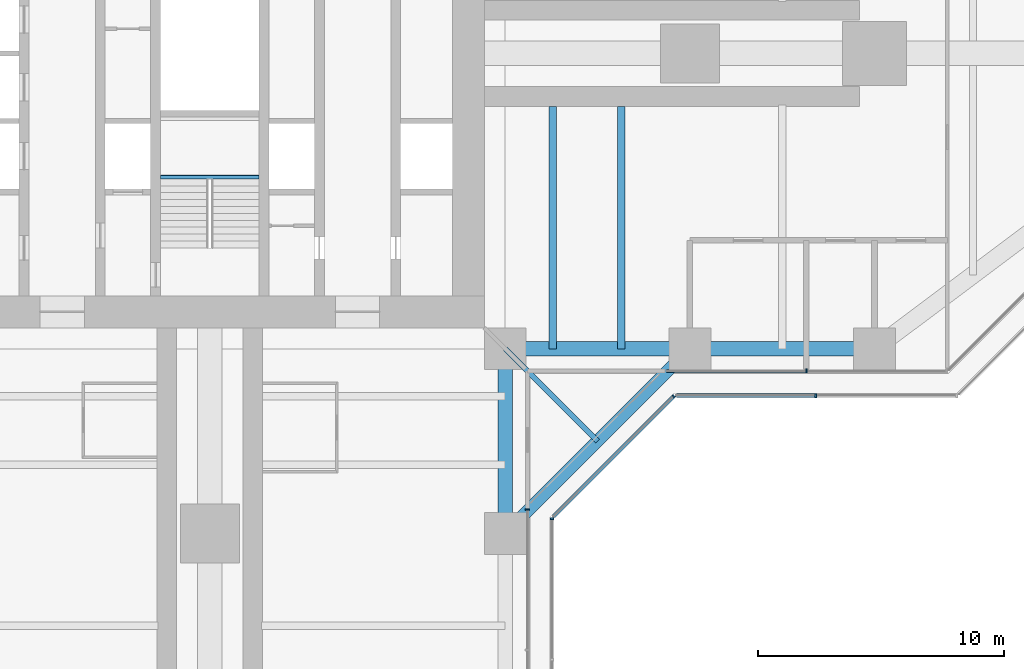
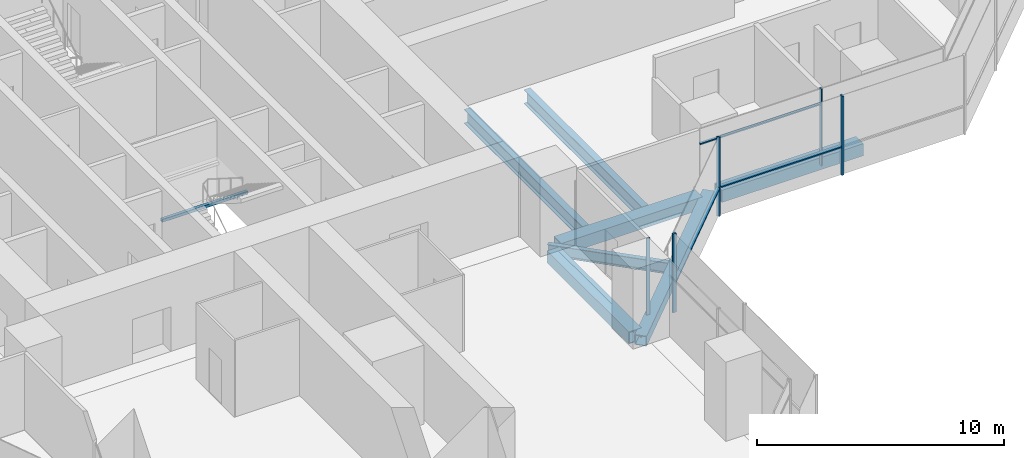
# One storey, part 6 of 22: 8 beams, 8 members, 5 elements without a shape of their own.
"""IFC4 building model written with IfcOpenShell, lengths in metres."""

import ifcopenshell
import ifcopenshell.guid

model = None  # the IFC model being written
_history = None  # IfcOwnerHistory: only IFC2X3 demands one
_inside = {}  # id of a spatial element -> (the spatial element, [elements in it])
_under = {}  # id of a project, library or spatial element -> (it, [spatial elements below it])
_declared = {}  # id of a project -> (the project, [libraries it declares])
_typed = {}  # id of a type object -> (the type object, [elements of that type])
_made_of = {}  # id of a material, layer set ... -> (it, [elements and type objects made of it])


def new_model(schema):
    """Start an empty IFC model of exactly this schema.

    Asked for "IFC4X3", IfcOpenShell would pick the latest addendum, in which some entities
    have other attributes; the version numbers below select the first issue.
    IFC2X3 requires an IfcOwnerHistory on every rooted entity: one is made here for all.
    """
    global model, _history
    if schema == "IFC4X3":
        model = ifcopenshell.file(schema_version=(4, 3, 0, 0))
    else:
        model = ifcopenshell.file(schema=schema)
    _inside.clear()
    _under.clear()
    _declared.clear()
    _typed.clear()
    _made_of.clear()
    _history = None
    if model.schema == "IFC2X3":
        org = make("IfcOrganization", Name="unknown")
        user = make(
            "IfcPersonAndOrganization",
            ThePerson=make("IfcPerson", FamilyName="unknown"),
            TheOrganization=org,
        )
        app = make(
            "IfcApplication",
            ApplicationDeveloper=org,
            Version="unknown",
            ApplicationFullName="unknown",
            ApplicationIdentifier="unknown",
        )
        _history = make(
            "IfcOwnerHistory",
            OwningUser=user,
            OwningApplication=app,
            ChangeAction="ADDED",
            CreationDate=0,
        )
    return model


def make(cls, **values):
    """One entity of the class cls with the attributes given. An attribute that is None is left unset."""
    return model.create_entity(
        cls, **{name: value for name, value in values.items() if value is not None}
    )


def rooted(cls, **values):
    """An entity with a GlobalId (a new one), such as an element, a storey or a relation."""
    return make(cls, GlobalId=ifcopenshell.guid.new(), OwnerHistory=_history, **values)


def si_unit(unit_type, name, prefix=None):
    """IfcSIUnit, for example si_unit("LENGTHUNIT", "METRE", prefix="MILLI")."""
    return make("IfcSIUnit", UnitType=unit_type, Prefix=prefix, Name=name)


def assignment(units):
    """IfcUnitAssignment: the units of a project."""
    return None if units is None else make("IfcUnitAssignment", Units=units)


def point(xyz):
    """IfcCartesianPoint."""
    return None if xyz is None else make("IfcCartesianPoint", Coordinates=xyz)


def direction(xyz):
    """IfcDirection."""
    return None if xyz is None else make("IfcDirection", DirectionRatios=xyz)


def frame(location, z_axis=None, x_axis=None):
    """IfcAxis2Placement3D, a coordinate frame: its origin and axes. An axis left out is left unset."""
    return make(
        "IfcAxis2Placement3D",
        Location=point(location),
        Axis=direction(z_axis),
        RefDirection=direction(x_axis),
    )


def frame_2d(location, x_axis=None):
    """IfcAxis2Placement2D, a coordinate frame in the plane: its origin and x axis."""
    return make(
        "IfcAxis2Placement2D", Location=point(location), RefDirection=direction(x_axis)
    )


def origin():
    """The frame at (0, 0, 0) with its axes left unset."""
    return frame((0.0, 0.0, 0.0))


def origin_2d():
    """The frame at (0, 0) in the plane with its x axis left unset."""
    return frame_2d((0.0, 0.0))


def place(relative_to, where):
    """IfcLocalPlacement: puts the frame where relative to a parent placement (None: the world)."""
    return make(
        "IfcLocalPlacement", PlacementRelTo=relative_to, RelativePlacement=where
    )


def context(
    kind, dimensions, precision=None, world=None, true_north=None, identifier=None
):
    """IfcGeometricRepresentationContext, for example the 3D "Model" context."""
    return make(
        "IfcGeometricRepresentationContext",
        ContextIdentifier=identifier,
        ContextType=kind,
        CoordinateSpaceDimension=dimensions,
        Precision=precision,
        WorldCoordinateSystem=world,
        TrueNorth=true_north,
    )


def subcontext(parent, identifier, kind, view, scale=None):
    """IfcGeometricRepresentationSubContext, for example "Body" below "Model"."""
    return make(
        "IfcGeometricRepresentationSubContext",
        ContextIdentifier=identifier,
        ContextType=kind,
        ParentContext=parent,
        TargetScale=scale,
        TargetView=view,
    )


def project(units=None, contexts=None):
    """IfcProject with its units and contexts."""
    return rooted(
        "IfcProject",
        Name="project",
        RepresentationContexts=contexts,
        UnitsInContext=assignment(units),
    )


def spatial(cls, under=None, at=None, **own):
    """A site, building, storey or space (cls), placed at a placement, below another one or the project."""
    s = rooted(cls, ObjectPlacement=at, **own)
    if under is not None:
        _under.setdefault(under.id(), (under, []))[1].append(s)
    return s


def profile(cls, at=None, kind="AREA", **sizes):
    """A parametric profile (cls). Its sizes go by their IFC names, for example OverallWidth=200.0."""
    return make(cls, ProfileType=kind, Position=at, **sizes)


def rectangle(**sizes):
    """IfcRectangleProfileDef."""
    return profile("IfcRectangleProfileDef", **sizes)


def hollow_rectangle(**sizes):
    """IfcRectangleHollowProfileDef."""
    return profile("IfcRectangleHollowProfileDef", **sizes)


def i_section(**sizes):
    """IfcIShapeProfileDef."""
    return profile("IfcIShapeProfileDef", **sizes)


def extrude(swept, where, along, depth):
    """IfcExtrudedAreaSolid: the profile swept, set in the frame where, extruded along a direction by depth."""
    return make(
        "IfcExtrudedAreaSolid",
        SweptArea=swept,
        Position=where,
        ExtrudedDirection=direction(along),
        Depth=depth,
    )


def shape(context_of_items, identifier, shape_type, items):
    """IfcShapeRepresentation: the items that make up one representation, for example the "Body"."""
    return make(
        "IfcShapeRepresentation",
        ContextOfItems=context_of_items,
        RepresentationIdentifier=identifier,
        RepresentationType=shape_type,
        Items=items,
    )


def material(Name=None, Category=None):
    """IfcMaterial."""
    return make("IfcMaterial", Name=Name, Category=Category)


def material_profile(
    of_material, cross_section, Name=None, Category=None, Priority=None
):
    """IfcMaterialProfile: a cross section and its material."""
    return make(
        "IfcMaterialProfile",
        Name=Name,
        Material=of_material,
        Profile=cross_section,
        Priority=Priority,
        Category=Category,
    )


def profile_set(profiles, Name=None, composite=None):
    """IfcMaterialProfileSet."""
    return make(
        "IfcMaterialProfileSet",
        Name=Name,
        MaterialProfiles=profiles,
        CompositeProfile=composite,
    )


def made_of(thing, what):
    """Note that an element or type object is made of a material, layer set ...; save() writes the relation."""
    if what is not None:
        _made_of.setdefault(what.id(), (what, []))[1].append(thing)
    return thing


def type_object(cls, material=None, **own):
    """A type object (cls), such as IfcWallType, which elements share."""
    return made_of(rooted(cls, **own), material)


def element(
    cls,
    number,
    at=None,
    inside=None,
    cuts=None,
    type_object=None,
    material=None,
    context=None,
    identifier="Body",
    shape_type=None,
    held_by="IfcProductDefinitionShape",
    body=None,
    shapes=None,
    **own,
):
    """One element of the class cls, such as IfcWall. Its Tag is "e" and its number.

    at: its placement. inside: the storey or other place that contains it. cuts: it is an
    opening in that element (IfcRelVoidsElement). A single representation is given by context,
    identifier, shape_type and body (its items); several are given by shapes. held_by: the class
    of the entity that holds the representations. save() writes the other relations.
    """
    e = rooted(cls, Tag="e%d" % number, ObjectPlacement=at, **own)
    if body is not None:
        shapes = [shape(context, identifier, shape_type, body)]
    if shapes is not None:
        e.Representation = make(held_by, Representations=shapes)
    if inside is not None:
        _inside.setdefault(inside.id(), (inside, []))[1].append(e)
    if cuts is not None:
        rooted(
            "IfcRelVoidsElement", RelatingBuildingElement=cuts, RelatedOpeningElement=e
        )
    if type_object is not None:
        _typed.setdefault(type_object.id(), (type_object, []))[1].append(e)
    return made_of(e, material)


def aggregate(whole, parts):
    """IfcRelAggregates: a whole, such as a stair, and the parts it consists of."""
    return rooted("IfcRelAggregates", RelatingObject=whole, RelatedObjects=parts)


def save(model, path):
    """Write the relations noted so far, then the file.

    IfcRelAggregates (storeys below a building ...), IfcRelContainedInSpatialStructure (elements
    in a storey), IfcRelDefinesByType, IfcRelAssociatesMaterial and IfcRelDeclares: one each for
    every whole, place, type object, material and project.
    """
    for whole, parts in _under.values():
        aggregate(whole, parts)
    for where, things in _inside.values():
        rooted(
            "IfcRelContainedInSpatialStructure",
            RelatedElements=things,
            RelatingStructure=where,
        )
    for kind, things in _typed.values():
        rooted("IfcRelDefinesByType", RelatedObjects=things, RelatingType=kind)
    for what, things in _made_of.values():
        rooted("IfcRelAssociatesMaterial", RelatedObjects=things, RelatingMaterial=what)
    for by, libraries in _declared.values():
        rooted("IfcRelDeclares", RelatingContext=by, RelatedDefinitions=libraries)
    model.write(path)


model = new_model("IFC4")

# Units and contexts
model_context = context("Model", 3, precision=1e-05, world=origin(), true_north=direction((0.0, 1.0)))
body_context = subcontext(model_context, "Body", "Model", "MODEL_VIEW")
ifc_project = project(units=[si_unit("LENGTHUNIT", "METRE"), si_unit("AREAUNIT", "SQUARE_METRE"), si_unit("VOLUMEUNIT", "CUBIC_METRE"), si_unit("PLANEANGLEUNIT", "RADIAN"), si_unit("MASSUNIT", "GRAM", prefix="KILO")], contexts=[model_context])

# Site, building, storey
site_placement = place(None, origin())
site = spatial("IfcSite", under=ifc_project, at=site_placement, CompositionType="ELEMENT")
building_placement = place(site_placement, origin())
building = spatial("IfcBuilding", under=site, at=building_placement, Name="Mizan Broadcast Tower", CompositionType="ELEMENT")
storey_placement = place(building_placement, frame((0.0, 0.0, 43.5)))
storey = spatial("IfcBuildingStorey", under=building, at=storey_placement, Name="L07", CompositionType="ELEMENT", Elevation=43.5)

# Beams
ifc_material_1 = material(Name="Steel S355", Category="steel")
ifc_material_profile_1 = material_profile(ifc_material_1, hollow_rectangle(XDim=0.5, YDim=0.5, WallThickness=0.030029296875, at=origin_2d()), Name="BOX 500x500x30")
ifc_profile_set_1 = profile_set([ifc_material_profile_1], Name="Steel S355")
beam_type_1 = type_object("IfcBeamType", Name="EDGE BEAM BOX 500x500x30", PredefinedType="SPANDREL", material=ifc_profile_set_1)
beam_1_placement = place(storey_placement, frame((12.0, -19.5, -0.3798828125), z_axis=(0.707106781187, 0.707106781187, 0.0), x_axis=(-0.707106781187, 0.707106781187, 0.0)))
element("IfcBeam", 1, at=beam_1_placement, inside=storey, type_object=beam_type_1, Name="Winter garden edge beam L07 S", PredefinedType="SPANDREL", context=body_context, shape_type="SweptSolid", body=[
    extrude(hollow_rectangle(XDim=0.5, YDim=0.5, WallThickness=0.030029296875, at=origin_2d()), origin(), (0.0, 0.0, 1.0), 10.606689453125),
])
ifc_material_2 = material(Name="Steel S355", Category="steel")
ifc_material_profile_2 = material_profile(ifc_material_2, hollow_rectangle(XDim=0.60009765625, YDim=0.60009765625, WallThickness=0.0400390625, at=origin_2d()), Name="BOX 600x600x40")
ifc_profile_set_2 = profile_set([ifc_material_profile_2], Name="Steel S355")
beam_type_2 = type_object("IfcBeamType", Name="EDGE BEAM BOX 600x600x40", PredefinedType="SPANDREL", material=ifc_profile_set_2)
for number, where, z_axis, x_axis, name in (
    (2, (12.449951171875, -12.0, -0.429931640625), (1.0, 0.0, 0.0), (0.0, 1.0, 0.0), "Edge beam BOX 600x600x40 L07 east arm"),
    (3, (19.949951171875, -12.0, -0.429931640625), (1.0, 0.0, 0.0), (0.0, 1.0, 0.0), "Edge beam BOX 600x600x40 L07 east arm"),
    (4, (12.0, -12.449951171875, -0.429931640625), (0.0, -1.0, 0.0), (1.0, 0.0, 0.0), "Edge beam BOX 600x600x40 L07 south arm"),
):
    element("IfcBeam", number, at=place(storey_placement, frame(where, z_axis=z_axis, x_axis=x_axis)), inside=storey, type_object=beam_type_2, Name=name, PredefinedType="SPANDREL", context=body_context, shape_type="SweptSolid", body=[
        extrude(hollow_rectangle(XDim=0.60009765625, YDim=0.60009765625, WallThickness=0.0400390625, at=origin_2d()), origin(), (0.0, 0.0, 1.0), 6.60009765625),
    ])

# Curtain wall, member
ifc_material_3 = material(Name="Aluminium framed glazing", Category="aluminium")
curtain_wall_type_1 = type_object("IfcCurtainWallType", Name="INNER SKIN LOW ZONE", PredefinedType="USERDEFINED", material=ifc_material_3)
curtain_wall_1_placement = place(storey_placement, origin())
curtain_wall_1 = element("IfcCurtainWall", 5, at=curtain_wall_1_placement, inside=storey, type_object=curtain_wall_type_1, Name="Inner skin low zone L07 E side", ObjectType="INNER SKIN LOW ZONE", PredefinedType="USERDEFINED")
ifc_material_4 = material(Name="Aluminium, pale anodised", Category="aluminium")
ifc_material_profile_3 = material_profile(ifc_material_4, rectangle(XDim=0.159912109375, YDim=0.06005859375, at=origin_2d()), Name="MULLION 160x60")
ifc_profile_set_3 = profile_set([ifc_material_profile_3], Name="Aluminium, pale anodised")
member_type_1 = type_object("IfcMemberType", Name="INNER SKIN MULLION 60x160", PredefinedType="MULLION", material=ifc_profile_set_3)
member_1_placement = place(storey_placement, frame((24.229248046875, -12.89990234375, 0.0), z_axis=(0.0, 0.0, 1.0), x_axis=(0.0, 1.0, 0.0)))
member_1 = element("IfcMember", 6, at=member_1_placement, type_object=member_type_1, Name="Inner skin low zone L07 E side mullion 2", PredefinedType="MULLION", context=body_context, shape_type="SweptSolid", body=[
    extrude(rectangle(XDim=0.159912109375, YDim=0.06005859375, at=origin_2d()), origin(), (0.0, 0.0, 1.0), 3.77001953125),
])

curtain_wall_2_placement = place(storey_placement, origin())
curtain_wall_2 = element("IfcCurtainWall", 7, at=curtain_wall_2_placement, inside=storey, type_object=curtain_wall_type_1, Name="Inner skin low zone L07 S side", ObjectType="INNER SKIN LOW ZONE", PredefinedType="USERDEFINED")
member_2_placement = place(storey_placement, frame((12.89990234375, -18.530029296875, 0.0), z_axis=(0.0, 0.0, 1.0), x_axis=(-1.0, 0.0, 0.0)))
member_2 = element("IfcMember", 8, at=member_2_placement, type_object=member_type_1, Name="Inner skin low zone L07 S side mullion 3", PredefinedType="MULLION", context=body_context, shape_type="SweptSolid", body=[
    extrude(rectangle(XDim=0.159912109375, YDim=0.06005859375, at=origin_2d()), origin(), (0.0, 0.0, 1.0), 3.77001953125),
])
aggregate(curtain_wall_2, [member_2])

# Member
ifc_material_5 = material(Name="Aluminium, pale anodised", Category="aluminium")
ifc_material_profile_4 = material_profile(ifc_material_5, rectangle(XDim=0.1201171875, YDim=0.06005859375, at=origin_2d()), Name="TRANSOM 120x60")
ifc_profile_set_4 = profile_set([ifc_material_profile_4], Name="Aluminium, pale anodised")
member_type_2 = type_object("IfcMemberType", Name="INNER SKIN TRANSOM 60x120", PredefinedType="USERDEFINED", material=ifc_profile_set_4)
member_3_placement = place(storey_placement, frame((18.56005859375, -12.89990234375, 3.030029296875), z_axis=(1.0, 0.0, 0.0), x_axis=(0.0, 1.0, 0.0)))
member_3 = element("IfcMember", 9, at=member_3_placement, type_object=member_type_2, Name="Inner skin low zone L07 E side transom 1.1", ObjectType="TRANSOM", PredefinedType="USERDEFINED", context=body_context, shape_type="SweptSolid", body=[
    extrude(rectangle(XDim=0.1201171875, YDim=0.06005859375, at=origin_2d()), origin(), (0.0, 0.0, 1.0), 5.63916015625),
])

aggregate(curtain_wall_1, [member_1, member_3])

# Beam
ifc_material_6 = material(Name="Steel S355", Category="steel")
ifc_material_profile_5 = material_profile(ifc_material_6, hollow_rectangle(XDim=0.14990234375, YDim=0.14990234375, WallThickness=0.008056640625, InnerFilletRadius=0.008056640625, OuterFilletRadius=0.011962890625, at=origin_2d()), Name="SHS 150x150x8")
ifc_profile_set_5 = profile_set([ifc_material_profile_5], Name="Steel S355")
beam_type_3 = type_object("IfcBeamType", Name="LANDING TRIMMER SHS 150x150x8", PredefinedType="BEAM", material=ifc_profile_set_5)
beam_2_placement = place(storey_placement, frame((-2.0, -5.02490234375, 1.675048828125), z_axis=(1.0, 0.0, 0.0), x_axis=(0.0, 1.0, 0.0)))
element("IfcBeam", 10, at=beam_2_placement, inside=storey, type_object=beam_type_3, Name="Stair A landing trimmer L07", PredefinedType="BEAM", context=body_context, shape_type="SweptSolid", body=[
    extrude(hollow_rectangle(XDim=0.14990234375, YDim=0.14990234375, WallThickness=0.008056640625, InnerFilletRadius=0.008056640625, OuterFilletRadius=0.011962890625, at=origin_2d()), origin(), (0.0, 0.0, 1.0), 4.0),
])

# Curtain wall, member
ifc_material_7 = material(Name="Aluminium framed glazing", Category="aluminium")
curtain_wall_type_2 = type_object("IfcCurtainWallType", Name="OUTER SKIN", PredefinedType="USERDEFINED", material=ifc_material_7)
curtain_wall_3_placement = place(storey_placement, origin())
curtain_wall_3 = element("IfcCurtainWall", 11, at=curtain_wall_3_placement, inside=storey, type_object=curtain_wall_type_2, Name="Outer skin L07 S side", ObjectType="OUTER SKIN", PredefinedType="USERDEFINED")
ifc_material_8 = material(Name="Aluminium, pale anodised", Category="aluminium")
ifc_material_profile_6 = material_profile(ifc_material_8, rectangle(XDim=0.159912109375, YDim=0.080078125, at=origin_2d()), Name="MULLION 160x80")
ifc_profile_set_6 = profile_set([ifc_material_profile_6], Name="Aluminium, pale anodised")
member_type_3 = type_object("IfcMemberType", Name="OUTER SKIN MULLION 80x160", PredefinedType="MULLION", material=ifc_profile_set_6)
member_4_placement = place(storey_placement, frame((13.89990234375, -18.912841796875, 0.0), z_axis=(0.0, 0.0, 1.0), x_axis=(-1.0, 0.0, 0.0)))
member_4 = element("IfcMember", 12, at=member_4_placement, type_object=member_type_3, Name="Outer skin L07 S side mullion 3", PredefinedType="MULLION", context=body_context, shape_type="SweptSolid", body=[
    extrude(rectangle(XDim=0.159912109375, YDim=0.080078125, at=origin_2d()), origin(), (0.0, 0.0, 1.0), 3.89990234375),
])
aggregate(curtain_wall_3, [member_4])

curtain_wall_4_placement = place(storey_placement, origin())
curtain_wall_4 = element("IfcCurtainWall", 13, at=curtain_wall_4_placement, inside=storey, type_object=curtain_wall_type_2, Name="Outer skin L07 E chamfer", ObjectType="OUTER SKIN", PredefinedType="USERDEFINED")
member_5_placement = place(storey_placement, frame((18.844482421875, -13.92822265625, 0.0), z_axis=(0.0, 0.0, 1.0), x_axis=(-0.707106781187, 0.707106781187, 0.0)))
member_5 = element("IfcMember", 14, at=member_5_placement, type_object=member_type_3, Name="Outer skin L07 E chamfer mullion 2", PredefinedType="MULLION", context=body_context, shape_type="SweptSolid", body=[
    extrude(rectangle(XDim=0.159912109375, YDim=0.080078125, at=origin_2d()), origin(), (0.0, 0.0, 1.0), 3.89990234375),
])

curtain_wall_5_placement = place(storey_placement, origin())
curtain_wall_5 = element("IfcCurtainWall", 15, at=curtain_wall_5_placement, inside=storey, type_object=curtain_wall_type_2, Name="Outer skin L07 E side", ObjectType="OUTER SKIN", PredefinedType="USERDEFINED")
member_6_placement = place(storey_placement, frame((24.622802734375, -13.89990234375, 0.0), z_axis=(0.0, 0.0, 1.0), x_axis=(0.0, 1.0, 0.0)))
member_6 = element("IfcMember", 16, at=member_6_placement, type_object=member_type_3, Name="Outer skin L07 E side mullion 2", PredefinedType="MULLION", context=body_context, shape_type="SweptSolid", body=[
    extrude(rectangle(XDim=0.159912109375, YDim=0.080078125, at=origin_2d()), origin(), (0.0, 0.0, 1.0), 3.89990234375),
])

# Member
ifc_material_9 = material(Name="Aluminium, pale anodised", Category="aluminium")
ifc_material_profile_7 = material_profile(ifc_material_9, rectangle(XDim=0.159912109375, YDim=0.06005859375, at=origin_2d()), Name="TRANSOM 160x60")
ifc_profile_set_7 = profile_set([ifc_material_profile_7], Name="Aluminium, pale anodised")
member_type_4 = type_object("IfcMemberType", Name="OUTER SKIN TRANSOM 60x160", PredefinedType="USERDEFINED", material=ifc_profile_set_7)
member_7_placement = place(storey_placement, frame((13.95654296875, -18.816162109375, 1.39990234375), z_axis=(0.707106781187, 0.707106781187, 0.0), x_axis=(-0.707106781187, 0.707106781187, 0.0)))
member_7 = element("IfcMember", 17, at=member_7_placement, type_object=member_type_4, Name="Outer skin L07 E chamfer transom 1.1", ObjectType="TRANSOM", PredefinedType="USERDEFINED", context=body_context, shape_type="SweptSolid", body=[
    extrude(rectangle(XDim=0.159912109375, YDim=0.06005859375, at=origin_2d()), origin(), (0.0, 0.0, 1.0), 6.87255859375),
])

aggregate(curtain_wall_4, [member_5, member_7])

member_8_placement = place(storey_placement, frame((18.952880859375, -13.89990234375, 1.39990234375), z_axis=(1.0, 0.0, 0.0), x_axis=(0.0, 1.0, 0.0)))
member_8 = element("IfcMember", 18, at=member_8_placement, type_object=member_type_4, Name="Outer skin L07 E side transom 1.1", ObjectType="TRANSOM", PredefinedType="USERDEFINED", context=body_context, shape_type="SweptSolid", body=[
    extrude(rectangle(XDim=0.159912109375, YDim=0.06005859375, at=origin_2d()), origin(), (0.0, 0.0, 1.0), 5.6298828125),
])

aggregate(curtain_wall_5, [member_6, member_8])

# Beams
ifc_material_10 = material(Name="Steel S355", Category="steel")
ifc_material_profile_8 = material_profile(ifc_material_10, i_section(OverallWidth=0.300048828125, OverallDepth=0.68994140625, WebThickness=0.014404296875, FlangeThickness=0.027099609375, FilletRadius=0.027099609375, at=origin_2d()), Name="HEA 700")
ifc_profile_set_8 = profile_set([ifc_material_profile_8], Name="Steel S355")
beam_type_4 = type_object("IfcBeamType", Name="SECONDARY BEAM HEA 700", PredefinedType="JOIST", material=ifc_profile_set_8)
for number, where, z_axis, x_axis, name in (
    (19, (13.933349609375, -12.0, -0.47509765625), (0.0, 1.0, 0.0), (-1.0, 0.0, 0.0), "Secondary beam HEA 700 L07 east arm"),
    (20, (16.716552734375, -12.0, -0.47509765625), (0.0, 1.0, 0.0), (-1.0, 0.0, 0.0), "Secondary beam HEA 700 L07 east arm"),
):
    element("IfcBeam", number, at=place(storey_placement, frame(where, z_axis=z_axis, x_axis=x_axis)), inside=storey, type_object=beam_type_4, Name=name, PredefinedType="JOIST", context=body_context, shape_type="SweptSolid", body=[
        extrude(i_section(OverallWidth=0.300048828125, OverallDepth=0.68994140625, WebThickness=0.014404296875, FlangeThickness=0.027099609375, FilletRadius=0.027099609375, at=origin_2d()), origin(), (0.0, 0.0, 1.0), 9.85009765625),
    ])
ifc_material_11 = material(Name="Steel S355", Category="steel")
ifc_material_profile_9 = material_profile(ifc_material_11, i_section(OverallWidth=0.2099609375, OverallDepth=0.550048828125, WebThickness=0.010986328125, FlangeThickness=0.01708984375, FilletRadius=0.02392578125, at=origin_2d()), Name="IPE 550")
ifc_profile_set_9 = profile_set([ifc_material_profile_9], Name="Steel S355")
beam_type_5 = type_object("IfcBeamType", Name="SECONDARY BEAM IPE 550", PredefinedType="JOIST", material=ifc_profile_set_9)
beam_3_placement = place(storey_placement, frame((12.0, -12.0, -0.405029296875), z_axis=(0.707106781187, -0.707106781187, 0.0), x_axis=(0.707106781187, 0.707106781187, 0.0)))
element("IfcBeam", 21, at=beam_3_placement, inside=storey, type_object=beam_type_5, Name="Winter garden beam L07 S", PredefinedType="JOIST", context=body_context, shape_type="SweptSolid", body=[
    extrude(i_section(OverallWidth=0.2099609375, OverallDepth=0.550048828125, WebThickness=0.010986328125, FlangeThickness=0.01708984375, FilletRadius=0.02392578125, at=origin_2d()), origin(), (0.0, 0.0, 1.0), 5.30322265625),
])

save(model, "model.ifc")
